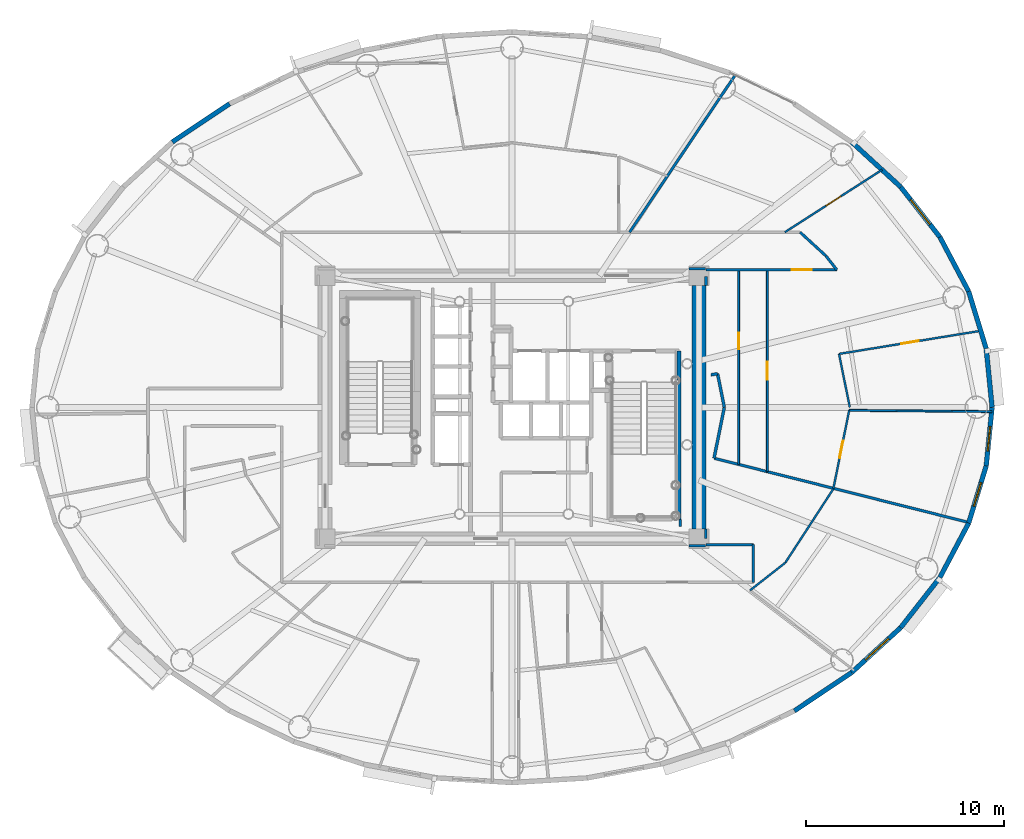
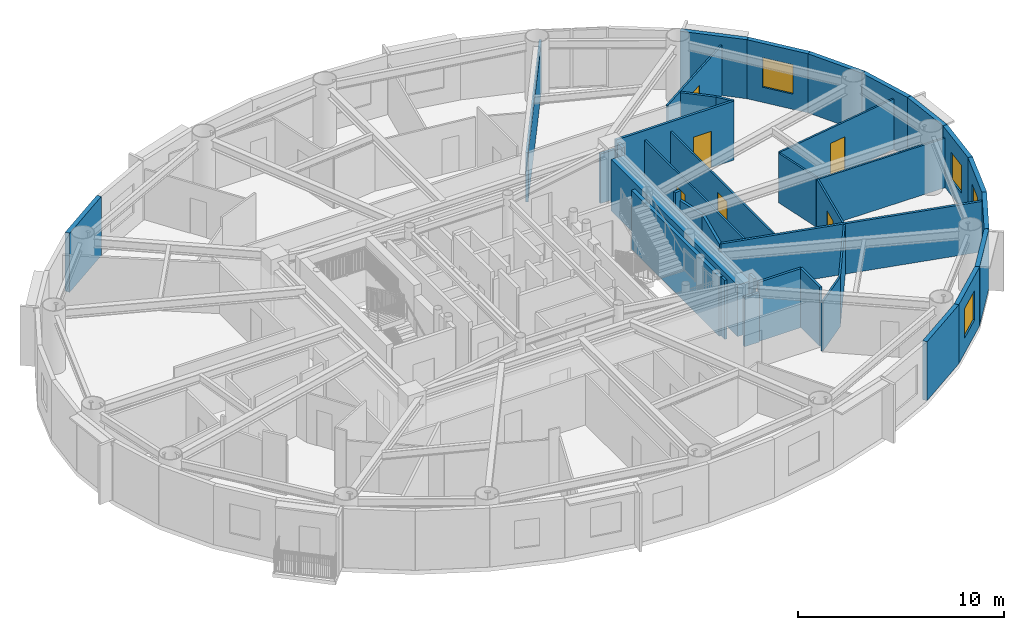
# One storey, part 9 of 16: 38 walls, 6 doors, 4 windows, 10 openings.
"""IFC4 building model written with IfcOpenShell, lengths in metres."""

from ifc_helpers import new_model, si_unit, direction, frame, frame_2d, origin, origin_2d, place, context, subcontext, project, spatial, rectangle, extrude, source, transform, mapped, material, layer, layer_set, type_object, element, fill, save


model = new_model("IFC4")

# Units and contexts
model_context = context("Model", 3, precision=1e-05, world=origin(), true_north=direction((0.0, 1.0)))
body_context = subcontext(model_context, "Body", "Model", "MODEL_VIEW")
ifc_project = project(units=[si_unit("LENGTHUNIT", "METRE"), si_unit("AREAUNIT", "SQUARE_METRE"), si_unit("VOLUMEUNIT", "CUBIC_METRE"), si_unit("PLANEANGLEUNIT", "RADIAN"), si_unit("MASSUNIT", "GRAM", prefix="KILO")], contexts=[model_context])

# Site, building, storey
site_placement = place(None, origin())
site = spatial("IfcSite", under=ifc_project, at=site_placement, CompositionType="ELEMENT")
building_placement = place(site_placement, origin())
building = spatial("IfcBuilding", under=site, at=building_placement, Name="Linh Dai School and Residence Tower", CompositionType="ELEMENT")
storey_placement = place(building_placement, frame((0.0, 0.0, 255.300048828125)))
storey = spatial("IfcBuildingStorey", under=building, at=storey_placement, Name="L63", CompositionType="ELEMENT", Elevation=255.300048828125)

# Walls
ifc_material_1 = material(Name="Precast Concrete B45 (C35/45)", Category="concrete")
ifc_layer_1 = layer(ifc_material_1, 0.239990234375)
ifc_layer_set_1 = layer_set([ifc_layer_1], Name="Precast Concrete B45 (C35/45)")
wall_type_1 = type_object("IfcWallType", Name="EW-TC-240", PredefinedType="SOLIDWALL", material=ifc_layer_set_1)
wall_1_placement = place(storey_placement, frame((59.97705078125, 29.9638671875, 0.0), z_axis=(0.0, 0.0, 1.0), x_axis=(0.099990595253, -0.994988382274, 0.0)))
element("IfcWall", 1, at=wall_1_placement, inside=storey, type_object=wall_type_1, Name="L63 Terracotta Exterior Wall 01", PredefinedType="SOLIDWALL", context=body_context, shape_type="SweptSolid", body=[
    extrude(rectangle(XDim=2.978759765625, YDim=0.239990234375, at=frame_2d((1.4892578125, 0.0))), origin(), (0.0, 0.0, 1.0), 3.5),
])
wall_2_placement = place(storey_placement, frame((59.09033203125, 32.85595703125, 0.0), z_axis=(0.0, 0.0, 1.0), x_axis=(0.293132907334, -0.95607170162, 0.0)))
element("IfcWall", 2, at=wall_2_placement, inside=storey, type_object=wall_type_1, Name="L63 Terracotta Exterior Wall 02", PredefinedType="SOLIDWALL", context=body_context, shape_type="SweptSolid", body=[
    extrude(rectangle(XDim=3.02490234375, YDim=0.239990234375, at=frame_2d((1.512451171875, 0.0))), origin(), (0.0, 0.0, 1.0), 3.5),
])
wall_3_placement = place(storey_placement, frame((57.6357421875, 35.605224609375, 0.0), z_axis=(0.0, 0.0, 1.0), x_axis=(0.46766049993, -0.883908172157, 0.0)))
element("IfcWall", 3, at=wall_3_placement, inside=storey, type_object=wall_type_1, Name="L63 Terracotta Exterior Wall 03", PredefinedType="SOLIDWALL", context=body_context, shape_type="SweptSolid", body=[
    extrude(rectangle(XDim=3.1103515625, YDim=0.239990234375, at=frame_2d((1.55517578125, 0.0))), origin(), (0.0, 0.0, 1.0), 3.5),
])

# Wall, opening, window
wall_4_placement = place(storey_placement, frame((55.6484375, 38.14453125, 0.0), z_axis=(0.0, 0.0, 1.0), x_axis=(0.616312344705, -0.787501805562, 0.0)))
wall_4 = element("IfcWall", 4, at=wall_4_placement, inside=storey, type_object=wall_type_1, Name="L63 Terracotta Exterior Wall 04", PredefinedType="SOLIDWALL", context=body_context, shape_type="SweptSolid", body=[
    extrude(rectangle(XDim=3.224609375, YDim=0.239990234375, at=frame_2d((1.6123046875, 0.0))), origin(), (0.0, 0.0, 1.0), 3.5),
])
opening_1_placement = place(wall_4_placement, frame((0.81201171875, 0.0, 0.89990234375)))
opening_1 = element("IfcOpeningElement", 5, at=opening_1_placement, cuts=wall_4, Name="Opening W2", PredefinedType="OPENING", context=body_context, shape_type="SweptSolid", body=[
    extrude(rectangle(XDim=1.60009765625, YDim=1.75, at=origin_2d()), frame((0.800048828125, 0.1298828125, 0.875), z_axis=(0.0, -1.0, 0.0), x_axis=(1.0, 0.0, 0.0)), (0.0, 0.0, 1.0), 0.260009765625),
])
ifc_material_2 = material(Name="Double Low-E Insulated Glazing", Category="glass")
window_type_1 = type_object("IfcWindowType", Name="WN-RES-1600x1750", PartitioningType="DOUBLE_PANEL_VERTICAL", PredefinedType="WINDOW", material=ifc_material_2)
shared_shape_1 = source(origin(), body_context, "Body", "SweptSolid", [
    extrude(rectangle(XDim=1.60009765625, YDim=1.75, at=origin_2d()), frame((0.800048828125, 0.030029296875, 0.875), z_axis=(0.0, -1.0, 0.0), x_axis=(1.0, 0.0, 0.0)), (0.0, 0.0, 1.0), 0.06005859375),
])
window_1_placement = place(opening_1_placement, origin())
window_1 = element("IfcWindow", 6, at=window_1_placement, inside=storey, type_object=window_type_1, Name="L63 Exterior Window 04.1", OverallHeight=1.75, OverallWidth=1.60009765625, PartitioningType="DOUBLE_PANEL_VERTICAL", PredefinedType="WINDOW", context=body_context, shape_type="MappedRepresentation", body=[
    mapped(shared_shape_1, transform((0.0, 0.0, 0.0), x_axis=(1.0, 0.0, 0.0), y_axis=(0.0, 1.0, 0.0), z_axis=(0.0, 0.0, 1.0), scale=1.0)),
])
fill(opening_1, window_1)

# Walls
wall_5_placement = place(storey_placement, frame((53.17626953125, 40.410888671875, 0.0), z_axis=(0.0, 0.0, 1.0), x_axis=(0.737123922599, -0.675757591694, 0.0)))
element("IfcWall", 7, at=wall_5_placement, inside=storey, type_object=wall_type_1, Name="L63 Terracotta Exterior Wall 05", PredefinedType="SOLIDWALL", context=body_context, shape_type="SweptSolid", body=[
    extrude(rectangle(XDim=3.353759765625, YDim=0.239990234375, at=frame_2d((1.6767578125, 0.0))), origin(), (0.0, 0.0, 1.0), 3.5),
])
for number, where, z_axis, x_axis, name in (
    (8, (18.82373046875, 40.410888671875, 0.0), (0.0, 0.0, 1.0), (0.831262496074, 0.555880079352, 0.0), "L63 Terracotta Exterior Wall 15"),
    (9, (53.17626953125, 13.589111328125, 0.0), (0.0, 0.0, 1.0), (-0.831262496074, -0.555880079352, 0.0), "L63 Terracotta Exterior Wall 35"),
):
    element("IfcWall", number, at=place(storey_placement, frame(where, z_axis=z_axis, x_axis=x_axis)), inside=storey, type_object=wall_type_1, Name=name, PredefinedType="SOLIDWALL", context=body_context, shape_type="SweptSolid", body=[
        extrude(rectangle(XDim=3.484130859375, YDim=0.239990234375, at=frame_2d((1.7421875, 0.0))), origin(), (0.0, 0.0, 1.0), 3.5),
    ])

# Wall, opening, window
wall_6_placement = place(storey_placement, frame((55.6484375, 15.85546875, 0.0), z_axis=(0.0, 0.0, 1.0), x_axis=(-0.737123922599, -0.675757591694, 0.0)))
wall_6 = element("IfcWall", 10, at=wall_6_placement, inside=storey, type_object=wall_type_1, Name="L63 Terracotta Exterior Wall 36", PredefinedType="SOLIDWALL", context=body_context, shape_type="SweptSolid", body=[
    extrude(rectangle(XDim=3.353759765625, YDim=0.239990234375, at=frame_2d((1.6767578125, 0.0))), origin(), (0.0, 0.0, 1.0), 3.5),
])
opening_2_placement = place(wall_6_placement, frame((0.81298828125, 0.0, 0.89990234375)))
opening_2 = element("IfcOpeningElement", 11, at=opening_2_placement, cuts=wall_6, Name="Opening W2", PredefinedType="OPENING", context=body_context, shape_type="SweptSolid", body=[
    extrude(rectangle(XDim=1.60009765625, YDim=1.75, at=origin_2d()), frame((0.800048828125, 0.1298828125, 0.875), z_axis=(0.0, -1.0, 0.0), x_axis=(1.0, 0.0, 0.0)), (0.0, 0.0, 1.0), 0.260009765625),
])
window_2_placement = place(opening_2_placement, origin())
window_2 = element("IfcWindow", 12, at=window_2_placement, inside=storey, type_object=window_type_1, Name="L63 Exterior Window 36.1", OverallHeight=1.75, OverallWidth=1.60009765625, PartitioningType="DOUBLE_PANEL_VERTICAL", PredefinedType="WINDOW", context=body_context, shape_type="MappedRepresentation", body=[
    mapped(shared_shape_1, transform((0.0, 0.0, 0.0), x_axis=(1.0, 0.0, 0.0), y_axis=(0.0, 1.0, 0.0), z_axis=(0.0, 0.0, 1.0), scale=1.0)),
])
fill(opening_2, window_2)

# Walls
wall_7_placement = place(storey_placement, frame((57.6357421875, 18.394775390625, 0.0), z_axis=(0.0, 0.0, 1.0), x_axis=(-0.616312344705, -0.787501805562, 0.0)))
element("IfcWall", 13, at=wall_7_placement, inside=storey, type_object=wall_type_1, Name="L63 Terracotta Exterior Wall 37", PredefinedType="SOLIDWALL", context=body_context, shape_type="SweptSolid", body=[
    extrude(rectangle(XDim=3.224609375, YDim=0.239990234375, at=frame_2d((1.6123046875, 0.0))), origin(), (0.0, 0.0, 1.0), 3.5),
])
wall_8_placement = place(storey_placement, frame((59.09033203125, 21.14404296875, 0.0), z_axis=(0.0, 0.0, 1.0), x_axis=(-0.46766049993, -0.883908172157, 0.0)))
element("IfcWall", 14, at=wall_8_placement, inside=storey, type_object=wall_type_1, Name="L63 Terracotta Exterior Wall 38", PredefinedType="SOLIDWALL", context=body_context, shape_type="SweptSolid", body=[
    extrude(rectangle(XDim=3.1103515625, YDim=0.239990234375, at=frame_2d((1.55517578125, 0.0))), origin(), (0.0, 0.0, 1.0), 3.5),
])

# Wall, opening, window
wall_9_placement = place(storey_placement, frame((59.97705078125, 24.0361328125, 0.0), z_axis=(0.0, 0.0, 1.0), x_axis=(-0.293132907334, -0.95607170162, 0.0)))
wall_9 = element("IfcWall", 15, at=wall_9_placement, inside=storey, type_object=wall_type_1, Name="L63 Terracotta Exterior Wall 39", PredefinedType="SOLIDWALL", context=body_context, shape_type="SweptSolid", body=[
    extrude(rectangle(XDim=3.02490234375, YDim=0.239990234375, at=frame_2d((1.512451171875, 0.0))), origin(), (0.0, 0.0, 1.0), 3.5),
])
opening_3_placement = place(wall_9_placement, frame((0.8798828125, 0.0, 0.89990234375)))
opening_3 = element("IfcOpeningElement", 16, at=opening_3_placement, cuts=wall_9, Name="Opening W3", PredefinedType="OPENING", context=body_context, shape_type="SweptSolid", body=[
    extrude(rectangle(XDim=1.25, YDim=1.64990234375, at=origin_2d()), frame((0.625, 0.1298828125, 0.824951171875), z_axis=(0.0, -1.0, 0.0), x_axis=(1.0, 0.0, 0.0)), (0.0, 0.0, 1.0), 0.260009765625),
])
window_type_2 = type_object("IfcWindowType", Name="WN-RES-1250x1650", PartitioningType="SINGLE_PANEL", PredefinedType="WINDOW", material=ifc_material_2)
shared_shape_2 = source(origin(), body_context, "Body", "SweptSolid", [
    extrude(rectangle(XDim=1.25, YDim=1.64990234375, at=origin_2d()), frame((0.625, 0.030029296875, 0.824951171875), z_axis=(0.0, -1.0, 0.0), x_axis=(1.0, 0.0, 0.0)), (0.0, 0.0, 1.0), 0.06005859375),
])
window_3_placement = place(opening_3_placement, origin())
window_3 = element("IfcWindow", 17, at=window_3_placement, inside=storey, type_object=window_type_2, Name="L63 Exterior Window 39.1", OverallHeight=1.64990234375, OverallWidth=1.25, PartitioningType="SINGLE_PANEL", PredefinedType="WINDOW", context=body_context, shape_type="MappedRepresentation", body=[
    mapped(shared_shape_2, transform((0.0, 0.0, 0.0), x_axis=(1.0, 0.0, 0.0), y_axis=(0.0, 1.0, 0.0), z_axis=(0.0, 0.0, 1.0), scale=1.0)),
])
fill(opening_3, window_3)

wall_10_placement = place(storey_placement, frame((60.27490234375, 27.0, 0.0), z_axis=(0.0, 0.0, 1.0), x_axis=(-0.099990595253, -0.994988382274, 0.0)))
wall_10 = element("IfcWall", 18, at=wall_10_placement, inside=storey, type_object=wall_type_1, Name="L63 Terracotta Exterior Wall 40", PredefinedType="SOLIDWALL", context=body_context, shape_type="SweptSolid", body=[
    extrude(rectangle(XDim=2.978759765625, YDim=0.239990234375, at=frame_2d((1.4892578125, 0.0))), origin(), (0.0, 0.0, 1.0), 3.5),
])
opening_4_placement = place(wall_10_placement, frame((0.9736328125, 0.0, 0.89990234375)))
opening_4 = element("IfcOpeningElement", 19, at=opening_4_placement, cuts=wall_10, Name="Opening W3", PredefinedType="OPENING", context=body_context, shape_type="SweptSolid", body=[
    extrude(rectangle(XDim=1.25, YDim=1.64990234375, at=origin_2d()), frame((0.625, 0.1298828125, 0.824951171875), z_axis=(0.0, -1.0, 0.0), x_axis=(1.0, 0.0, 0.0)), (0.0, 0.0, 1.0), 0.260009765625),
])
window_4_placement = place(opening_4_placement, origin())
window_4 = element("IfcWindow", 20, at=window_4_placement, inside=storey, type_object=window_type_2, Name="L63 Exterior Window 40.1", OverallHeight=1.64990234375, OverallWidth=1.25, PartitioningType="SINGLE_PANEL", PredefinedType="WINDOW", context=body_context, shape_type="MappedRepresentation", body=[
    mapped(shared_shape_2, transform((0.0, 0.0, 0.0), x_axis=(1.0, 0.0, 0.0), y_axis=(0.0, 1.0, 0.0), z_axis=(0.0, 0.0, 1.0), scale=1.0)),
])
fill(opening_4, window_4)

# Walls
ifc_material_3 = material(Name="Autoclaved Aerated Concrete Blockwork", Category="masonry")
ifc_layer_2 = layer(ifc_material_3, 0.135009765625)
ifc_layer_set_2 = layer_set([ifc_layer_2], Name="Autoclaved Aerated Concrete Blockwork")
wall_type_2 = type_object("IfcWallType", Name="IW-CORR-135-EI90", PredefinedType="PARTITIONING", material=ifc_layer_set_2)
wall_11_placement = place(storey_placement, frame((41.94580078125, 35.85009765625, 0.0), z_axis=(0.0, 0.0, 1.0), x_axis=(0.557670345873, 0.830062518931, 0.0)))
element("IfcWall", 21, at=wall_11_placement, inside=storey, type_object=wall_type_2, Name="L63 Interior Partition Wall 069", PredefinedType="PARTITIONING", context=body_context, shape_type="SweptSolid", body=[
    extrude(rectangle(XDim=9.56787109375, YDim=0.135009765625, at=frame_2d((4.783935546875, 0.0))), origin(), (0.0, 0.0, 1.0), 2.93505859375),
])
wall_12_placement = place(storey_placement, frame((45.800048828125, 20.050048828125, 0.0), z_axis=(0.0, 0.0, 1.0), x_axis=(1.0, 0.0, 0.0)))
element("IfcWall", 22, at=wall_12_placement, inside=storey, type_object=wall_type_2, Name="L63 Interior Partition Wall 072", PredefinedType="PARTITIONING", context=body_context, shape_type="SweptSolid", body=[
    extrude(rectangle(XDim=2.39990234375, YDim=0.135009765625, at=frame_2d((1.199951171875, 0.0))), origin(), (0.0, 0.0, 1.0), 3.5),
])

# Wall, opening, door
wall_13_placement = place(storey_placement, frame((45.800048828125, 33.949951171875, 0.0), z_axis=(0.0, 0.0, 1.0), x_axis=(1.0, 0.0, 0.0)))
wall_13 = element("IfcWall", 23, at=wall_13_placement, inside=storey, type_object=wall_type_2, Name="L63 Interior Partition Wall 073", PredefinedType="PARTITIONING", context=body_context, shape_type="SweptSolid", body=[
    extrude(rectangle(XDim=6.623779296875, YDim=0.135009765625, at=frame_2d((3.31201171875, 0.0))), origin(), (0.0, 0.0, 1.0), 3.5),
])
opening_5_placement = place(wall_13_placement, frame((4.345947265625, 0.0, 0.0)))
opening_5 = element("IfcOpeningElement", 24, at=opening_5_placement, cuts=wall_13, Name="Opening D03", PredefinedType="OPENING", context=body_context, shape_type="SweptSolid", body=[
    extrude(rectangle(XDim=1.0, YDim=2.14990234375, at=origin_2d()), frame((0.5, 0.07763671875, 1.074951171875), z_axis=(0.0, -1.0, 0.0), x_axis=(1.0, 0.0, 0.0)), (0.0, 0.0, 1.0), 0.155029296875),
])
ifc_material_4 = material(Name="Fire-Rated Solid Timber Entrance Door", Category="wood")
door_type_1 = type_object("IfcDoorType", Name="DR-FLAT-1000x2150-FD60S", OperationType="NOTDEFINED", PredefinedType="DOOR", material=ifc_material_4)
shared_shape_3 = source(origin(), body_context, "Body", "SweptSolid", [
    extrude(rectangle(XDim=1.0, YDim=2.14990234375, at=origin_2d()), frame((0.5, 0.02490234375, 1.074951171875), z_axis=(0.0, -1.0, 0.0), x_axis=(1.0, 0.0, 0.0)), (0.0, 0.0, 1.0), 0.050048828125),
])
door_1_placement = place(opening_5_placement, origin())
door_1 = element("IfcDoor", 25, at=door_1_placement, inside=storey, type_object=door_type_1, Name="L63 U6304 Apartment Entrance Door", OperationType="SINGLE_SWING_RIGHT", OverallHeight=2.14990234375, OverallWidth=1.0, PredefinedType="DOOR", context=body_context, shape_type="MappedRepresentation", body=[
    mapped(shared_shape_3, transform((0.0, 0.0, 0.0), x_axis=(1.0, 0.0, 0.0), y_axis=(0.0, 1.0, 0.0), z_axis=(0.0, 0.0, 1.0), scale=1.0)),
])
fill(opening_5, door_1)

# Walls
wall_14_placement = place(storey_placement, frame((46.215087890625, 24.424560546875, 0.0), z_axis=(0.0, 0.0, 1.0), x_axis=(0.969657665326, -0.244466791355, 0.0)))
element("IfcWall", 26, at=wall_14_placement, inside=storey, type_object=wall_type_2, Name="L63 Interior Partition Wall 074", PredefinedType="PARTITIONING", context=body_context, shape_type="SweptSolid", body=[
    extrude(rectangle(XDim=13.293212890625, YDim=0.135009765625, at=frame_2d((6.646484375, 0.0))), origin(), (0.0, 0.0, 1.0), 2.98486328125),
])
wall_15_placement = place(storey_placement, frame((48.199951171875, 18.14990234375, 0.0), z_axis=(0.0, 0.0, 1.0), x_axis=(0.0, 1.0, 0.0)))
element("IfcWall", 27, at=wall_15_placement, inside=storey, type_object=wall_type_2, Name="L63 Interior Partition Wall 078", PredefinedType="PARTITIONING", context=body_context, shape_type="SweptSolid", body=[
    extrude(rectangle(XDim=1.900146484375, YDim=0.135009765625, at=frame_2d((0.9501953125, 0.0))), origin(), (0.0, 0.0, 1.0), 3.5),
])
wall_16_placement = place(storey_placement, frame((50.56787109375, 35.85009765625, 0.0), z_axis=(0.0, 0.0, 1.0), x_axis=(0.737102657331, -0.675780787353, 0.0)))
element("IfcWall", 28, at=wall_16_placement, inside=storey, type_object=wall_type_2, Name="L63 Interior Partition Wall 082", PredefinedType="PARTITIONING", context=body_context, shape_type="SweptSolid", body=[
    extrude(rectangle(XDim=1.771728515625, YDim=0.135009765625, at=frame_2d((0.8857421875, 0.0))), origin(), (0.0, 0.0, 1.0), 3.5),
])
wall_17_placement = place(storey_placement, frame((51.873779296875, 34.65283203125, 0.0), z_axis=(0.0, 0.0, 1.0), x_axis=(0.61628613448, -0.787522317429, 0.0)))
element("IfcWall", 29, at=wall_17_placement, inside=storey, type_object=wall_type_2, Name="L63 Interior Partition Wall 083", PredefinedType="PARTITIONING", context=body_context, shape_type="SweptSolid", body=[
    extrude(rectangle(XDim=0.892578125, YDim=0.135009765625, at=frame_2d((0.4462890625, 0.0))), origin(), (0.0, 0.0, 1.0), 3.5),
])
wall_18_placement = place(storey_placement, frame((44.5, 20.9599609375, 0.0), z_axis=(0.0, 0.0, 1.0), x_axis=(0.0, 1.0, 0.0)))
element("IfcWall", 30, at=wall_18_placement, inside=storey, type_object=wall_type_2, Name="L63 Interior Partition Wall 092", PredefinedType="PARTITIONING", context=body_context, shape_type="SweptSolid", body=[
    extrude(rectangle(XDim=0.360107421875, YDim=0.135009765625, at=frame_2d((0.18017578125, 0.0))), origin(), (0.0, 0.0, 1.0), 3.5),
])
for number, where, z_axis, x_axis, name in (
    (31, (45.7900390625, 34.0, 0.0), (0.0, 0.0, 1.0), (-1.0, 0.0, 0.0), "L63 Interior Partition Wall 095"),
    (32, (44.9599609375, 20.0, 0.0), (0.0, 0.0, 1.0), (1.0, 0.0, 0.0), "L63 Interior Partition Wall 100"),
):
    element("IfcWall", number, at=place(storey_placement, frame(where, z_axis=z_axis, x_axis=x_axis)), inside=storey, type_object=wall_type_2, Name=name, PredefinedType="PARTITIONING", context=body_context, shape_type="SweptSolid", body=[
        extrude(rectangle(XDim=0.830078125, YDim=0.135009765625, at=frame_2d((0.4150390625, 0.0))), origin(), (0.0, 0.0, 1.0), 2.93505859375),
    ])
wall_19_placement = place(storey_placement, frame((45.800048828125, 20.37744140625, 0.0), z_axis=(0.0, 0.0, 1.0), x_axis=(0.0, 1.0, 0.0)))
element("IfcWall", 33, at=wall_19_placement, inside=storey, type_object=wall_type_2, Name="L63 Interior Partition Wall 105", PredefinedType="PARTITIONING", context=body_context, shape_type="SweptSolid", body=[
    extrude(rectangle(XDim=0.462646484375, YDim=0.135009765625, at=frame_2d((0.2314453125, 0.0))), origin(), (0.0, 0.0, 1.0), 3.5),
])
ifc_layer_3 = layer(ifc_material_3, 0.14990234375)
ifc_layer_set_3 = layer_set([ifc_layer_3], Name="Autoclaved Aerated Concrete Blockwork")
wall_type_3 = type_object("IfcWallType", Name="IW-SCH-150-EI60", PredefinedType="PARTITIONING", material=ifc_layer_set_3)
wall_20_placement = place(storey_placement, frame((46.215087890625, 24.424560546875, 0.0), z_axis=(0.0, 0.0, 1.0), x_axis=(0.19827768715, 0.980145886477, 0.0)))
element("IfcWall", 34, at=wall_20_placement, inside=storey, type_object=wall_type_3, Name="L63 Interior Partition Wall 106", PredefinedType="PARTITIONING", context=body_context, shape_type="SweptSolid", body=[
    extrude(rectangle(XDim=2.627685546875, YDim=0.14990234375, at=frame_2d((1.31396484375, 0.0))), origin(), (0.0, 0.0, 1.0), 2.93505859375),
])
wall_21_placement = place(storey_placement, frame((46.736083984375, 27.0, 0.0), z_axis=(0.0, 0.0, 1.0), x_axis=(-0.198367575061, 0.980127698397, 0.0)))
element("IfcWall", 35, at=wall_21_placement, inside=storey, type_object=wall_type_3, Name="L63 Interior Partition Wall 107", PredefinedType="PARTITIONING", context=body_context, shape_type="SweptSolid", body=[
    extrude(rectangle(XDim=1.73046875, YDim=0.14990234375, at=frame_2d((0.865234375, 0.0))), origin(), (0.0, 0.0, 1.0), 2.93505859375),
])
wall_22_placement = place(storey_placement, frame((46.392822265625, 28.69580078125, 0.0), z_axis=(0.0, 0.0, 1.0), x_axis=(-0.986993913165, -0.16075762929, 0.0)))
element("IfcWall", 36, at=wall_22_placement, inside=storey, type_object=wall_type_3, Name="L63 Interior Partition Wall 108", PredefinedType="PARTITIONING", context=body_context, shape_type="SweptSolid", body=[
    extrude(rectangle(XDim=0.337158203125, YDim=0.14990234375, at=frame_2d((0.16845703125, 0.0))), origin(), (0.0, 0.0, 1.0), 3.5),
])
wall_23_placement = place(storey_placement, frame((45.800048828125, 33.159912109375, 0.0), z_axis=(0.0, 0.0, 1.0), x_axis=(0.0, 1.0, 0.0)))
element("IfcWall", 37, at=wall_23_placement, inside=storey, type_object=wall_type_3, Name="L63 Interior Partition Wall 109", PredefinedType="PARTITIONING", context=body_context, shape_type="SweptSolid", body=[
    extrude(rectangle(XDim=0.462646484375, YDim=0.14990234375, at=frame_2d((0.2314453125, 0.0))), origin(), (0.0, 0.0, 1.0), 3.5),
])
ifc_material_5 = material(Name="Concrete B45 (C35/45)", Category="concrete")
ifc_layer_4 = layer(ifc_material_5, 0.199951171875)
ifc_layer_set_4 = layer_set([ifc_layer_4], Name="Concrete B45 (C35/45)")
wall_type_4 = type_object("IfcWallType", Name="IW-SHAFT-200-EI120", PredefinedType="PARTITIONING", material=ifc_layer_set_4)
wall_24_placement = place(storey_placement, frame((44.43994140625, 21.330078125, 0.0), z_axis=(0.0, 0.0, 1.0), x_axis=(0.0, 1.0, 0.0)))
element("IfcWall", 38, at=wall_24_placement, inside=storey, type_object=wall_type_4, Name="L63 Interior Partition Wall 071", PredefinedType="PARTITIONING", context=body_context, shape_type="SweptSolid", body=[
    extrude(rectangle(XDim=8.52001953125, YDim=0.199951171875, at=frame_2d((4.260009765625, 0.0))), origin(), (0.0, 0.0, 1.0), 3.5),
])

# Wall, opening, door
ifc_material_6 = material(Name="Gypsum Plasterboard Acoustic Stud Partition", Category="masonry")
ifc_layer_5 = layer(ifc_material_6, 0.10009765625)
ifc_layer_set_5 = layer_set([ifc_layer_5], Name="Gypsum Plasterboard Acoustic Stud Partition")
wall_type_5 = type_object("IfcWallType", Name="IW-UNIT-100", PredefinedType="PARTITIONING", material=ifc_layer_set_5)
wall_25_placement = place(storey_placement, frame((47.453125, 24.1123046875, 0.0), z_axis=(0.0, 0.0, 1.0), x_axis=(0.0, 1.0, 0.0)))
wall_25 = element("IfcWall", 39, at=wall_25_placement, inside=storey, type_object=wall_type_5, Name="L63 Interior Partition Wall 075", PredefinedType="PARTITIONING", context=body_context, shape_type="SweptSolid", body=[
    extrude(rectangle(XDim=9.837646484375, YDim=0.10009765625, at=frame_2d((4.9189453125, 0.0))), origin(), (0.0, 0.0, 1.0), 2.93505859375),
])
opening_6_placement = place(wall_25_placement, frame((5.825439453125, 0.0, 0.0)))
opening_6 = element("IfcOpeningElement", 40, at=opening_6_placement, cuts=wall_25, Name="Opening D06", PredefinedType="OPENING", context=body_context, shape_type="SweptSolid", body=[
    extrude(rectangle(XDim=0.820068359375, YDim=2.10009765625, at=origin_2d()), frame((0.41015625, 0.06005859375, 1.050048828125), z_axis=(0.0, -1.0, 0.0), x_axis=(1.0, 0.0, 0.0)), (0.0, 0.0, 1.0), 0.1201171875),
])
ifc_material_7 = material(Name="Moisture-Resistant Timber Bathroom Door", Category="wood")
door_type_2 = type_object("IfcDoorType", Name="DR-WET-820x2100", OperationType="NOTDEFINED", PredefinedType="DOOR", material=ifc_material_7)
shared_shape_4 = source(origin(), body_context, "Body", "SweptSolid", [
    extrude(rectangle(XDim=0.820068359375, YDim=2.10009765625, at=origin_2d()), frame((0.41015625, 0.02490234375, 1.050048828125), z_axis=(0.0, -1.0, 0.0), x_axis=(1.0, 0.0, 0.0)), (0.0, 0.0, 1.0), 0.050048828125),
])
door_2_placement = place(opening_6_placement, origin())
door_2 = element("IfcDoor", 41, at=door_2_placement, inside=storey, type_object=door_type_2, Name="L63 Apartment U6304 Bathroom 1 Door", OperationType="SINGLE_SWING_LEFT", OverallHeight=2.10009765625, OverallWidth=0.820068359375, PredefinedType="DOOR", context=body_context, shape_type="MappedRepresentation", body=[
    mapped(shared_shape_4, transform((0.0, 0.0, 0.0), x_axis=(1.0, 0.0, 0.0), y_axis=(0.0, 1.0, 0.0), z_axis=(0.0, 0.0, 1.0), scale=1.0)),
])
fill(opening_6, door_2)

# Wall
wall_26_placement = place(storey_placement, frame((48.0341796875, 17.74267578125, 0.0), z_axis=(0.0, 0.0, 1.0), x_axis=(0.787427677995, 0.616407050517, 0.0)))
element("IfcWall", 42, at=wall_26_placement, inside=storey, type_object=wall_type_5, Name="L63 Interior Partition Wall 076", PredefinedType="PARTITIONING", context=body_context, shape_type="SweptSolid", body=[
    extrude(rectangle(XDim=2.265625, YDim=0.10009765625, at=frame_2d((1.1328125, 0.0))), origin(), (0.0, 0.0, 1.0), 2.93505859375),
])

# Wall, opening, door
wall_27_placement = place(storey_placement, frame((48.907958984375, 23.74560546875, 0.0), z_axis=(0.0, 0.0, 1.0), x_axis=(0.0, 1.0, 0.0)))
wall_27 = element("IfcWall", 43, at=wall_27_placement, inside=storey, type_object=wall_type_5, Name="L63 Interior Partition Wall 079", PredefinedType="PARTITIONING", context=body_context, shape_type="SweptSolid", body=[
    extrude(rectangle(XDim=10.204345703125, YDim=0.10009765625, at=frame_2d((5.10205078125, 0.0))), origin(), (0.0, 0.0, 1.0), 2.93505859375),
])
opening_7_placement = place(wall_27_placement, frame((4.652099609375, 0.0, 0.0)))
opening_7 = element("IfcOpeningElement", 44, at=opening_7_placement, cuts=wall_27, Name="Opening D05", PredefinedType="OPENING", context=body_context, shape_type="SweptSolid", body=[
    extrude(rectangle(XDim=0.89990234375, YDim=2.10009765625, at=origin_2d()), frame((0.449951171875, 0.06005859375, 1.050048828125), z_axis=(0.0, -1.0, 0.0), x_axis=(1.0, 0.0, 0.0)), (0.0, 0.0, 1.0), 0.1201171875),
])
ifc_material_8 = material(Name="Engineered Timber Internal Door", Category="wood")
door_type_3 = type_object("IfcDoorType", Name="DR-INT-900x2100", OperationType="NOTDEFINED", PredefinedType="DOOR", material=ifc_material_8)
shared_shape_5 = source(origin(), body_context, "Body", "SweptSolid", [
    extrude(rectangle(XDim=0.89990234375, YDim=2.10009765625, at=origin_2d()), frame((0.449951171875, 0.02490234375, 1.050048828125), z_axis=(0.0, -1.0, 0.0), x_axis=(1.0, 0.0, 0.0)), (0.0, 0.0, 1.0), 0.050048828125),
])
door_3_placement = place(opening_7_placement, origin())
door_3 = element("IfcDoor", 45, at=door_3_placement, inside=storey, type_object=door_type_3, Name="L63 Apartment U6304 Kitchen Door", OperationType="SINGLE_SWING_RIGHT", OverallHeight=2.10009765625, OverallWidth=0.89990234375, PredefinedType="DOOR", context=body_context, shape_type="MappedRepresentation", body=[
    mapped(shared_shape_5, transform((0.0, 0.0, 0.0), x_axis=(1.0, 0.0, 0.0), y_axis=(0.0, 1.0, 0.0), z_axis=(0.0, 0.0, 1.0), scale=1.0)),
])
fill(opening_7, door_3)

wall_28_placement = place(storey_placement, frame((49.79248046875, 35.85009765625, 0.0), z_axis=(0.0, 0.0, 1.0), x_axis=(0.841640734873, 0.540037844416, 0.0)))
wall_28 = element("IfcWall", 46, at=wall_28_placement, inside=storey, type_object=wall_type_5, Name="L63 Interior Partition Wall 080", PredefinedType="PARTITIONING", context=body_context, shape_type="SweptSolid", body=[
    extrude(rectangle(XDim=5.84765625, YDim=0.10009765625, at=frame_2d((2.923828125, 0.0))), origin(), (0.0, 0.0, 1.0), 2.98486328125),
])
opening_8_placement = place(wall_28_placement, frame((2.473876953125, 0.0, 0.0)))
opening_8 = element("IfcOpeningElement", 47, at=opening_8_placement, cuts=wall_28, Name="Opening D05", PredefinedType="OPENING", context=body_context, shape_type="SweptSolid", body=[
    extrude(rectangle(XDim=0.89990234375, YDim=2.10009765625, at=origin_2d()), frame((0.449951171875, 0.06005859375, 1.050048828125), z_axis=(0.0, -1.0, 0.0), x_axis=(1.0, 0.0, 0.0)), (0.0, 0.0, 1.0), 0.1201171875),
])
door_4_placement = place(opening_8_placement, origin())
door_4 = element("IfcDoor", 48, at=door_4_placement, inside=storey, type_object=door_type_3, Name="L63 Apartment U6304 Principal Bedroom 2 Door", OperationType="SINGLE_SWING_LEFT", OverallHeight=2.10009765625, OverallWidth=0.89990234375, PredefinedType="DOOR", context=body_context, shape_type="MappedRepresentation", body=[
    mapped(shared_shape_5, transform((0.0, 0.0, 0.0), x_axis=(1.0, 0.0, 0.0), y_axis=(0.0, 1.0, 0.0), z_axis=(0.0, 0.0, 1.0), scale=1.0)),
])
fill(opening_8, door_4)

# Wall
wall_29_placement = place(storey_placement, frame((49.818115234375, 19.13916015625, 0.0), z_axis=(0.0, 0.0, 1.0), x_axis=(0.545406924684, 0.83817139447, 0.0)))
element("IfcWall", 49, at=wall_29_placement, inside=storey, type_object=wall_type_5, Name="L63 Interior Partition Wall 081", PredefinedType="PARTITIONING", context=body_context, shape_type="SweptSolid", body=[
    extrude(rectangle(XDim=4.447998046875, YDim=0.10009765625, at=frame_2d((2.22412109375, 0.0))), origin(), (0.0, 0.0, 1.0), 2.93505859375),
])

# Wall, opening, door
wall_30_placement = place(storey_placement, frame((52.251220703125, 22.902587890625, 0.0), z_axis=(0.0, 0.0, 1.0), x_axis=(0.198227662963, 0.980156004744, 0.0)))
wall_30 = element("IfcWall", 50, at=wall_30_placement, inside=storey, type_object=wall_type_5, Name="L63 Interior Partition Wall 084", PredefinedType="PARTITIONING", context=body_context, shape_type="SweptSolid", body=[
    extrude(rectangle(XDim=4.023681640625, YDim=0.10009765625, at=frame_2d((2.01171875, 0.0))), origin(), (0.0, 0.0, 1.0), 2.93505859375),
])
opening_9_placement = place(wall_30_placement, frame((1.561767578125, 0.0, 0.0)))
opening_9 = element("IfcOpeningElement", 51, at=opening_9_placement, cuts=wall_30, Name="Opening D05", PredefinedType="OPENING", context=body_context, shape_type="SweptSolid", body=[
    extrude(rectangle(XDim=0.89990234375, YDim=2.10009765625, at=origin_2d()), frame((0.449951171875, 0.06005859375, 1.050048828125), z_axis=(0.0, -1.0, 0.0), x_axis=(1.0, 0.0, 0.0)), (0.0, 0.0, 1.0), 0.1201171875),
])
door_5_placement = place(opening_9_placement, origin())
door_5 = element("IfcDoor", 52, at=door_5_placement, inside=storey, type_object=door_type_3, Name="L63 Apartment U6304 Principal Bedroom 1 Door", OperationType="SINGLE_SWING_LEFT", OverallHeight=2.10009765625, OverallWidth=0.89990234375, PredefinedType="DOOR", context=body_context, shape_type="MappedRepresentation", body=[
    mapped(shared_shape_5, transform((0.0, 0.0, 0.0), x_axis=(1.0, 0.0, 0.0), y_axis=(0.0, 1.0, 0.0), z_axis=(0.0, 0.0, 1.0), scale=1.0)),
])
fill(opening_9, door_5)

# Wall
wall_31_placement = place(storey_placement, frame((52.5341796875, 29.697998046875, 0.0), z_axis=(0.0, 0.0, 1.0), x_axis=(0.198315891718, -0.980138157145, 0.0)))
element("IfcWall", 53, at=wall_31_placement, inside=storey, type_object=wall_type_5, Name="L63 Interior Partition Wall 085", PredefinedType="PARTITIONING", context=body_context, shape_type="SweptSolid", body=[
    extrude(rectangle(XDim=2.752685546875, YDim=0.10009765625, at=frame_2d((1.37646484375, 0.0))), origin(), (0.0, 0.0, 1.0), 2.93505859375),
])

# Wall, opening, door
wall_32_placement = place(storey_placement, frame((52.5341796875, 29.697998046875, 0.0), z_axis=(0.0, 0.0, 1.0), x_axis=(0.98694585474, 0.161052413243, 0.0)))
wall_32 = element("IfcWall", 54, at=wall_32_placement, inside=storey, type_object=wall_type_5, Name="L63 Interior Partition Wall 086", PredefinedType="PARTITIONING", context=body_context, shape_type="SweptSolid", body=[
    extrude(rectangle(XDim=7.265625, YDim=0.10009765625, at=frame_2d((3.6328125, 0.0))), origin(), (0.0, 0.0, 1.0), 2.98486328125),
])
opening_10_placement = place(wall_32_placement, frame((3.182861328125, 0.0, 0.0)))
opening_10 = element("IfcOpeningElement", 55, at=opening_10_placement, cuts=wall_32, Name="Opening D05", PredefinedType="OPENING", context=body_context, shape_type="SweptSolid", body=[
    extrude(rectangle(XDim=0.89990234375, YDim=2.10009765625, at=origin_2d()), frame((0.449951171875, 0.06005859375, 1.050048828125), z_axis=(0.0, -1.0, 0.0), x_axis=(1.0, 0.0, 0.0)), (0.0, 0.0, 1.0), 0.1201171875),
])
door_6_placement = place(opening_10_placement, origin())
door_6 = element("IfcDoor", 56, at=door_6_placement, inside=storey, type_object=door_type_3, Name="L63 Apartment U6304 Study Door", OperationType="SINGLE_SWING_RIGHT", OverallHeight=2.10009765625, OverallWidth=0.89990234375, PredefinedType="DOOR", context=body_context, shape_type="MappedRepresentation", body=[
    mapped(shared_shape_5, transform((0.0, 0.0, 0.0), x_axis=(1.0, 0.0, 0.0), y_axis=(0.0, 1.0, 0.0), z_axis=(0.0, 0.0, 1.0), scale=1.0)),
])
fill(opening_10, door_6)

# Walls
wall_33_placement = place(storey_placement, frame((53.048828125, 26.846435546875, 0.0), z_axis=(0.0, 0.0, 1.0), x_axis=(0.999959429593, -0.009007728276, 0.0)))
element("IfcWall", 57, at=wall_33_placement, inside=storey, type_object=wall_type_5, Name="L63 Interior Partition Wall 087", PredefinedType="PARTITIONING", context=body_context, shape_type="SweptSolid", body=[
    extrude(rectangle(XDim=7.20947265625, YDim=0.10009765625, at=frame_2d((3.604736328125, 0.0))), origin(), (0.0, 0.0, 1.0), 2.93505859375),
])
ifc_layer_6 = layer(ifc_material_5, 0.699951171875)
ifc_layer_set_6 = layer_set([ifc_layer_6], Name="Concrete B45 (C35/45)")
wall_type_6 = type_object("IfcWallType", Name="WL-CORE700", PredefinedType="SHEAR", material=ifc_layer_set_6)
wall_34_placement = place(storey_placement, frame((45.449951171875, 33.14990234375, 0.0), z_axis=(0.0, 0.0, 1.0), x_axis=(0.0, -1.0, 0.0)))
element("IfcWall", 58, at=wall_34_placement, inside=storey, type_object=wall_type_6, Name="L63 Central Core Shear Wall E", PredefinedType="SHEAR", context=body_context, shape_type="SweptSolid", body=[
    extrude(rectangle(XDim=12.2998046875, YDim=0.699951171875, at=frame_2d((6.14990234375, 0.0))), origin(), (0.0, 0.0, 1.0), 3.050048828125),
])

save(model, "model.ifc")
